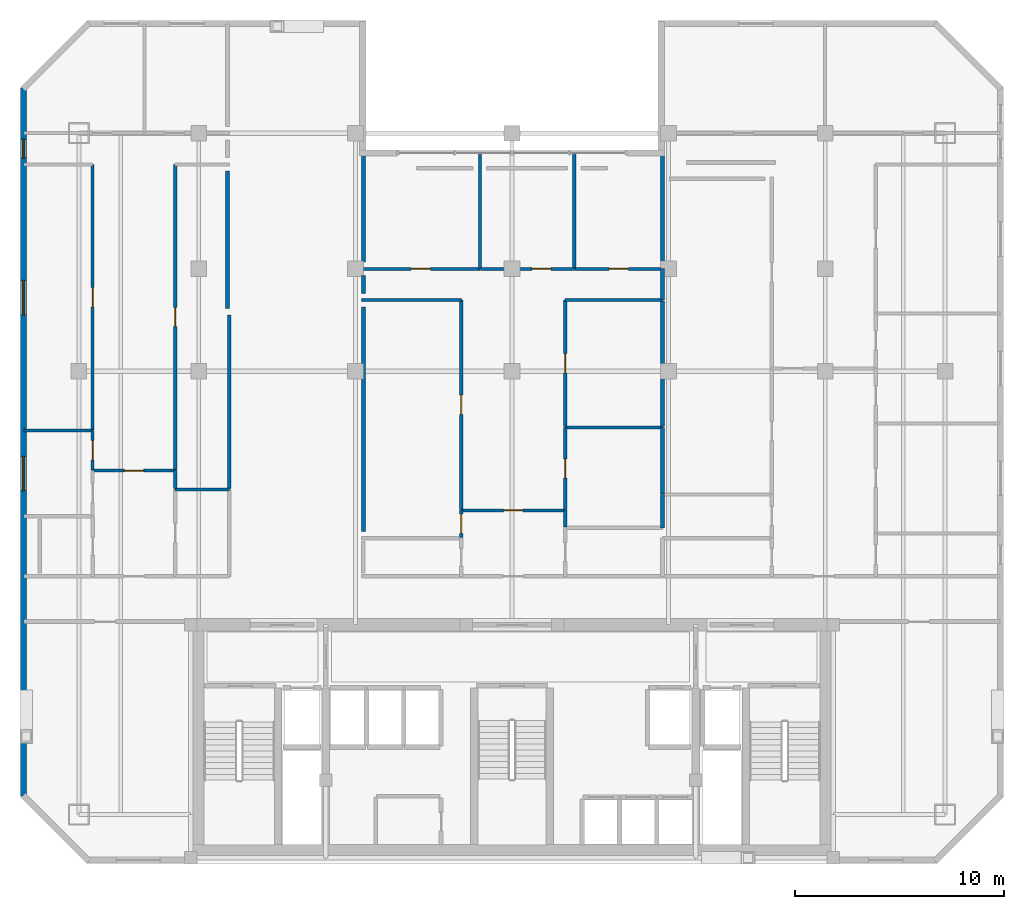
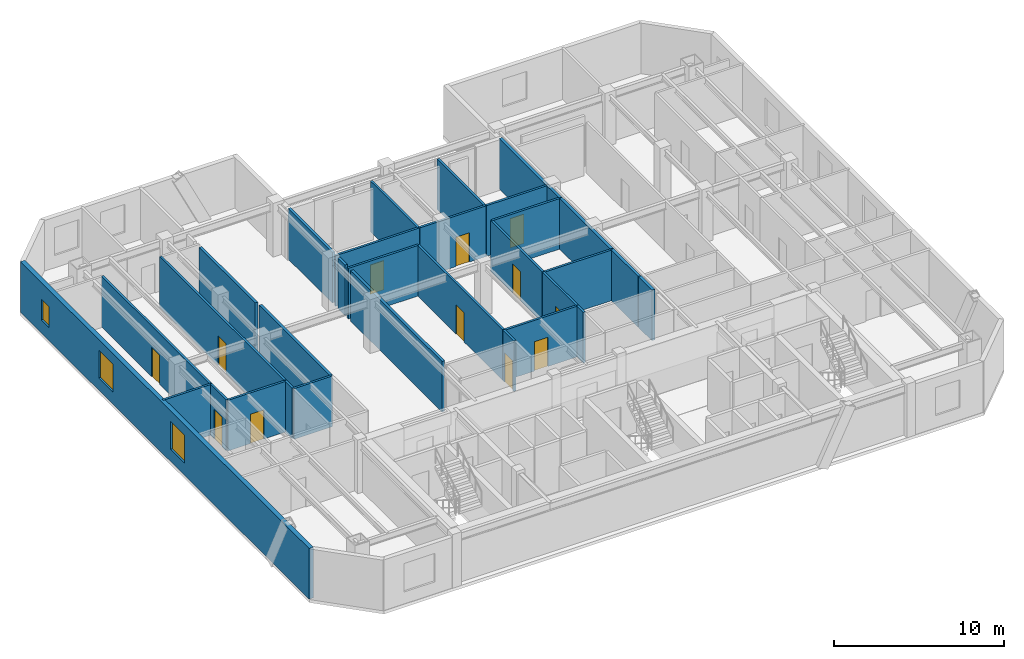
# One storey, part 6 of 10: 32 walls, 12 doors, 3 windows, 15 openings.
"""IFC4 building model written with IfcOpenShell, lengths in metres."""

from ifc_helpers import new_model, si_unit, direction, frame, frame_2d, origin, place, context, subcontext, project, spatial, rectangle, extrude, material, layer, layer_set, type_object, element, fill, save


model = new_model("IFC4")

# Units and contexts
model_context = context("Model", 3, precision=1e-05, world=origin(), true_north=direction((0.0, 1.0)))
body_context = subcontext(model_context, "Body", "Model", "MODEL_VIEW")
ifc_project = project(units=[si_unit("LENGTHUNIT", "METRE"), si_unit("AREAUNIT", "SQUARE_METRE"), si_unit("VOLUMEUNIT", "CUBIC_METRE"), si_unit("PLANEANGLEUNIT", "RADIAN"), si_unit("MASSUNIT", "GRAM", prefix="KILO")], contexts=[model_context])

# Site, building, storey
site_placement = place(None, origin())
site = spatial("IfcSite", under=ifc_project, at=site_placement, CompositionType="ELEMENT")
building_placement = place(site_placement, origin())
building = spatial("IfcBuilding", under=site, at=building_placement, Name="Ventersveld Concourse Tower", CompositionType="ELEMENT")
storey_placement = place(building_placement, frame((0.0, 0.0, 208.0)))
storey = spatial("IfcBuildingStorey", under=building, at=storey_placement, Name="L51", CompositionType="ELEMENT", Elevation=208.0)

# Walls
ifc_material_1 = material(Name="Fire-rated autoclaved aerated masonry blockwork", Category="masonry")
ifc_layer_1 = layer(ifc_material_1, 0.179931640625)
ifc_layer_set_1 = layer_set([ifc_layer_1], Name="Fire-rated autoclaved aerated masonry blockwork")
wall_type_1 = type_object("IfcWallType", Name="WL-CORR-180", PredefinedType="PARTITIONING", material=ifc_layer_set_1)
wall_1_placement = place(storey_placement, frame((15.2099609375, 17.96630859375, 0.0), z_axis=(0.0, 0.0, 1.0), x_axis=(0.0, 1.0, 0.0)))
element("IfcWall", 1, at=wall_1_placement, inside=storey, type_object=wall_type_1, Name="L51 Interior Partition SP-L51-COR-SP-L51-51NW-SEMR1", PredefinedType="PARTITIONING", context=body_context, shape_type="SweptSolid", body=[
    extrude(rectangle(XDim=8.32861328125, YDim=0.179931640625, at=frame_2d((4.164306640625, 0.0))), origin(), (0.0, 0.0, 1.0), 3.6298828125),
])
wall_2_placement = place(storey_placement, frame((15.1201171875, 33.175048828125, 0.0), z_axis=(0.0, 0.0, 1.0), x_axis=(0.0, -1.0, 0.0)))
element("IfcWall", 2, at=wall_2_placement, inside=storey, type_object=wall_type_1, Name="L51 Room Enclosure Wall SP-L51-51NW-SEMR1", PredefinedType="PARTITIONING", context=body_context, shape_type="SweptSolid", body=[
    extrude(rectangle(XDim=6.565185546875, YDim=0.179931640625, at=frame_2d((3.28271484375, 0.0))), origin(), (0.0, 0.0, 1.0), 3.6298828125),
])
wall_3_placement = place(storey_placement, frame((21.6298828125, 27.324951171875, 0.0), z_axis=(0.0, 0.0, 1.0), x_axis=(0.0, 1.0, 0.0)))
element("IfcWall", 3, at=wall_3_placement, inside=storey, type_object=wall_type_1, Name="L51 Room Enclosure Wall SP-L51-51CM-LIV", PredefinedType="PARTITIONING", context=body_context, shape_type="SweptSolid", body=[
    extrude(rectangle(XDim=0.85009765625, YDim=0.179931640625, at=frame_2d((0.425048828125, 0.0))), origin(), (0.0, 0.0, 1.0), 3.6298828125),
])
wall_4_placement = place(storey_placement, frame((21.6298828125, 15.925048828125, 0.0), z_axis=(0.0, 0.0, 1.0), x_axis=(0.0, 1.0, 0.0)))
element("IfcWall", 4, at=wall_4_placement, inside=storey, type_object=wall_type_1, Name="L51 Room Enclosure Wall SP-L51-51CM-SEML0", PredefinedType="PARTITIONING", context=body_context, shape_type="SweptSolid", body=[
    extrude(rectangle(XDim=10.75, YDim=0.179931640625, at=frame_2d((5.375, 0.0))), origin(), (0.0, 0.0, 1.0), 3.6298828125),
])
wall_5_placement = place(storey_placement, frame((21.6298828125, 28.824951171875, 0.0), z_axis=(0.0, 0.0, 1.0), x_axis=(0.0, 1.0, 0.0)))
element("IfcWall", 5, at=wall_5_placement, inside=storey, type_object=wall_type_1, Name="L51 Room Enclosure Wall SP-L51-51CM-BR1", PredefinedType="PARTITIONING", context=body_context, shape_type="SweptSolid", body=[
    extrude(rectangle(XDim=5.20263671875, YDim=0.179931640625, at=frame_2d((2.601318359375, 0.0))), origin(), (0.0, 0.0, 1.0), 3.6298828125),
])
ifc_layer_2 = layer(ifc_material_1, 0.199951171875)
ifc_layer_set_2 = layer_set([ifc_layer_2], Name="Fire-rated autoclaved aerated masonry blockwork")
wall_type_2 = type_object("IfcWallType", Name="WL-DEMISE-200", PredefinedType="PARTITIONING", material=ifc_layer_set_2)
wall_6_placement = place(storey_placement, frame((35.9599609375, 16.08740234375, 0.0), z_axis=(0.0, 0.0, 1.0), x_axis=(0.0, 1.0, 0.0)))
element("IfcWall", 6, at=wall_6_placement, inside=storey, type_object=wall_type_2, Name="L51 Interior Partition SP-L51-51CE-PANL0-SP-L51-51CM-DENR", PredefinedType="PARTITIONING", context=body_context, shape_type="SweptSolid", body=[
    extrude(rectangle(XDim=1.597412109375, YDim=0.199951171875, at=frame_2d((0.798828125, 0.0))), origin(), (0.0, 0.0, 1.0), 3.6298828125),
])
wall_7_placement = place(storey_placement, frame((35.9599609375, 26.9951171875, 0.0), z_axis=(0.0, 0.0, 1.0), x_axis=(0.0, 1.0, 0.0)))
element("IfcWall", 7, at=wall_7_placement, inside=storey, type_object=wall_type_2, Name="L51 Interior Partition SP-L51-51CE-DENL-SP-L51-51CM-LIV", PredefinedType="PARTITIONING", context=body_context, shape_type="SweptSolid", body=[
    extrude(rectangle(XDim=1.509765625, YDim=0.199951171875, at=frame_2d((0.7548828125, 0.0))), origin(), (0.0, 0.0, 1.0), 3.6298828125),
])
wall_8_placement = place(storey_placement, frame((35.9599609375, 17.71484375, 0.0), z_axis=(0.0, 0.0, 1.0), x_axis=(0.0, 1.0, 0.0)))
element("IfcWall", 8, at=wall_8_placement, inside=storey, type_object=wall_type_2, Name="L51 Interior Partition SP-L51-51CE-DENL-SP-L51-51CM-DENR", PredefinedType="PARTITIONING", context=body_context, shape_type="SweptSolid", body=[
    extrude(rectangle(XDim=3.195068359375, YDim=0.199951171875, at=frame_2d((1.59765625, 0.0))), origin(), (0.0, 0.0, 1.0), 3.6298828125),
])
wall_9_placement = place(storey_placement, frame((35.9599609375, 20.93994140625, 0.0), z_axis=(0.0, 0.0, 1.0), x_axis=(0.0, 1.0, 0.0)))
element("IfcWall", 9, at=wall_9_placement, inside=storey, type_object=wall_type_2, Name="L51 Interior Partition SP-L51-51CE-DENL-SP-L51-51CM-DENS", PredefinedType="PARTITIONING", context=body_context, shape_type="SweptSolid", body=[
    extrude(rectangle(XDim=6.025146484375, YDim=0.199951171875, at=frame_2d((3.0126953125, 0.0))), origin(), (0.0, 0.0, 1.0), 3.6298828125),
])
wall_10_placement = place(storey_placement, frame((35.9599609375, 28.534912109375, 0.0), z_axis=(0.0, 0.0, 1.0), x_axis=(0.0, 1.0, 0.0)))
element("IfcWall", 10, at=wall_10_placement, inside=storey, type_object=wall_type_2, Name="L51 Interior Partition SP-L51-51CE-DENL-SP-L51-51CM-BR3", PredefinedType="PARTITIONING", context=body_context, shape_type="SweptSolid", body=[
    extrude(rectangle(XDim=5.49267578125, YDim=0.199951171875, at=frame_2d((2.746337890625, 0.0))), origin(), (0.0, 0.0, 1.0), 3.6298828125),
])

# Wall, opening, door
ifc_material_2 = material(Name="Autoclaved aerated masonry blockwork", Category="masonry")
ifc_layer_3 = layer(ifc_material_2, 0.14990234375)
ifc_layer_set_3 = layer_set([ifc_layer_3], Name="Autoclaved aerated masonry blockwork")
wall_type_3 = type_object("IfcWallType", Name="WL-INT-150", PredefinedType="PARTITIONING", material=ifc_layer_set_3)
wall_11_placement = place(storey_placement, frame((8.65380859375, 18.83349609375, 0.0), z_axis=(0.0, 0.0, 1.0), x_axis=(1.0, 0.0, 0.0)))
wall_11 = element("IfcWall", 11, at=wall_11_placement, inside=storey, type_object=wall_type_3, Name="L51 Interior Partition SP-L51-51NW-FOY-SP-L51-51NW-LIV", PredefinedType="PARTITIONING", context=body_context, shape_type="SweptSolid", body=[
    extrude(rectangle(XDim=3.969970703125, YDim=0.14990234375, at=frame_2d((1.98486328125, 0.0))), origin(), (0.0, 0.0, 1.0), 3.6298828125),
])
opening_1_placement = place(wall_11_placement, frame((1.52490234375, 0.0, 0.0)))
opening_1 = element("IfcOpeningElement", 12, at=opening_1_placement, cuts=wall_11, Name="Opening ID1", PredefinedType="OPENING", context=body_context, shape_type="SweptSolid", body=[
    extrude(rectangle(XDim=0.919921875, YDim=2.10009765625, at=frame_2d((0.4599609375, 1.050048828125))), frame((0.0, 0.0849609375, 0.0), z_axis=(0.0, -1.0, 0.0), x_axis=(1.0, 0.0, 0.0)), (0.0, 0.0, 1.0), 0.169921875),
])
ifc_material_3 = material(Name="Solid-core hardwood veneer timber", Category="wood")
door_type = type_object("IfcDoorType", Name="DR-ROOM-092", OperationType="NOTDEFINED", PredefinedType="DOOR", material=ifc_material_3)
door_1_placement = place(opening_1_placement, origin())
door_1 = element("IfcDoor", 13, at=door_1_placement, inside=storey, type_object=door_type, Name="L51 Interior Door SP-L51-51NW-FOY to SP-L51-51NW-LIV (D-L51-2481)", OperationType="SINGLE_SWING_LEFT", OverallHeight=2.10009765625, OverallWidth=0.919921875, PredefinedType="DOOR", context=body_context, shape_type="SweptSolid", body=[
    extrude(rectangle(XDim=0.919921875, YDim=2.10009765625, at=frame_2d((0.4599609375, 1.050048828125))), frame((0.0, 0.02490234375, 0.0), z_axis=(0.0, -1.0, 0.0), x_axis=(1.0, 0.0, 0.0)), (0.0, 0.0, 1.0), 0.050048828125),
])
fill(opening_1, door_1)

# Wall
wall_12_placement = place(storey_placement, frame((12.61865234375, 17.96630859375, 0.0), z_axis=(0.0, 0.0, 1.0), x_axis=(0.0, 1.0, 0.0)))
element("IfcWall", 14, at=wall_12_placement, inside=storey, type_object=wall_type_3, Name="L51 Interior Partition SP-L51-51NW-FOY-SP-L51-51NW-SEMR1", PredefinedType="PARTITIONING", context=body_context, shape_type="SweptSolid", body=[
    extrude(rectangle(XDim=0.8720703125, YDim=0.14990234375, at=frame_2d((0.43603515625, 0.0))), origin(), (0.0, 0.0, 1.0), 3.6298828125),
])

# Wall, opening, door
wall_13_placement = place(storey_placement, frame((8.65869140625, 18.868408203125, 0.0), z_axis=(0.0, 0.0, 1.0), x_axis=(0.0, 1.0, 0.0)))
wall_13 = element("IfcWall", 15, at=wall_13_placement, inside=storey, type_object=wall_type_3, Name="L51 Interior Partition SP-L51-51NW-LIV-SP-L51-51NW-PANL0", PredefinedType="PARTITIONING", context=body_context, shape_type="SweptSolid", body=[
    extrude(rectangle(XDim=1.88232421875, YDim=0.14990234375, at=frame_2d((0.941162109375, 0.0))), origin(), (0.0, 0.0, 1.0), 3.6298828125),
])
opening_2_placement = place(wall_13_placement, frame((0.481201171875, 0.0, 0.0)))
opening_2 = element("IfcOpeningElement", 16, at=opening_2_placement, cuts=wall_13, Name="Opening ID1", PredefinedType="OPENING", context=body_context, shape_type="SweptSolid", body=[
    extrude(rectangle(XDim=0.919921875, YDim=2.10009765625, at=frame_2d((0.4599609375, 1.050048828125))), frame((0.0, 0.0849609375, 0.0), z_axis=(0.0, -1.0, 0.0), x_axis=(1.0, 0.0, 0.0)), (0.0, 0.0, 1.0), 0.169921875),
])
door_2_placement = place(opening_2_placement, origin())
door_2 = element("IfcDoor", 17, at=door_2_placement, inside=storey, type_object=door_type, Name="L51 Interior Door SP-L51-51NW-LIV to SP-L51-51NW-PANL0 (D-L51-2485)", OperationType="SINGLE_SWING_LEFT", OverallHeight=2.10009765625, OverallWidth=0.919921875, PredefinedType="DOOR", context=body_context, shape_type="SweptSolid", body=[
    extrude(rectangle(XDim=0.919921875, YDim=2.10009765625, at=frame_2d((0.4599609375, 1.050048828125))), frame((0.0, 0.02490234375, 0.0), z_axis=(0.0, -1.0, 0.0), x_axis=(1.0, 0.0, 0.0)), (0.0, 0.0, 1.0), 0.050048828125),
])
fill(opening_2, door_2)

wall_14_placement = place(storey_placement, frame((8.65869140625, 20.78076171875, 0.0), z_axis=(0.0, 0.0, 1.0), x_axis=(0.0, 1.0, 0.0)))
wall_14 = element("IfcWall", 18, at=wall_14_placement, inside=storey, type_object=wall_type_3, Name="L51 Interior Partition SP-L51-51NW-LIV-SP-L51-51NW-DENL", PredefinedType="PARTITIONING", context=body_context, shape_type="SweptSolid", body=[
    extrude(rectangle(XDim=12.72412109375, YDim=0.14990234375, at=frame_2d((6.362060546875, 0.0))), origin(), (0.0, 0.0, 1.0), 3.6298828125),
])
opening_3_placement = place(wall_14_placement, frame((5.902099609375, 0.0, 0.0)))
opening_3 = element("IfcOpeningElement", 19, at=opening_3_placement, cuts=wall_14, Name="Opening ID1", PredefinedType="OPENING", context=body_context, shape_type="SweptSolid", body=[
    extrude(rectangle(XDim=0.919921875, YDim=2.10009765625, at=frame_2d((0.4599609375, 1.050048828125))), frame((0.0, 0.0849609375, 0.0), z_axis=(0.0, -1.0, 0.0), x_axis=(1.0, 0.0, 0.0)), (0.0, 0.0, 1.0), 0.169921875),
])
door_3_placement = place(opening_3_placement, origin())
door_3 = element("IfcDoor", 20, at=door_3_placement, inside=storey, type_object=door_type, Name="L51 Interior Door SP-L51-51NW-LIV to SP-L51-51NW-DENL (D-L51-2486)", OperationType="SINGLE_SWING_RIGHT", OverallHeight=2.10009765625, OverallWidth=0.919921875, PredefinedType="DOOR", context=body_context, shape_type="SweptSolid", body=[
    extrude(rectangle(XDim=0.919921875, YDim=2.10009765625, at=frame_2d((0.4599609375, 1.050048828125))), frame((0.0, 0.02490234375, 0.0), z_axis=(0.0, -1.0, 0.0), x_axis=(1.0, 0.0, 0.0)), (0.0, 0.0, 1.0), 0.050048828125),
])
fill(opening_3, door_3)

wall_15_placement = place(storey_placement, frame((12.61865234375, 18.868408203125, 0.0), z_axis=(0.0, 0.0, 1.0), x_axis=(0.0, 1.0, 0.0)))
wall_15 = element("IfcWall", 21, at=wall_15_placement, inside=storey, type_object=wall_type_3, Name="L51 Interior Partition SP-L51-51NW-LIV-SP-L51-51NW-SEMR1", PredefinedType="PARTITIONING", context=body_context, shape_type="SweptSolid", body=[
    extrude(rectangle(XDim=14.636474609375, YDim=0.14990234375, at=frame_2d((7.318359375, 0.0))), origin(), (0.0, 0.0, 1.0), 3.6298828125),
])
opening_4_placement = place(wall_15_placement, frame((6.8583984375, 0.0, 0.0)))
opening_4 = element("IfcOpeningElement", 22, at=opening_4_placement, cuts=wall_15, Name="Opening ID1", PredefinedType="OPENING", context=body_context, shape_type="SweptSolid", body=[
    extrude(rectangle(XDim=0.919921875, YDim=2.10009765625, at=frame_2d((0.4599609375, 1.050048828125))), frame((0.0, 0.0849609375, 0.0), z_axis=(0.0, -1.0, 0.0), x_axis=(1.0, 0.0, 0.0)), (0.0, 0.0, 1.0), 0.169921875),
])
door_4_placement = place(opening_4_placement, origin())
door_4 = element("IfcDoor", 23, at=door_4_placement, inside=storey, type_object=door_type, Name="L51 Interior Door SP-L51-51NW-LIV to SP-L51-51NW-SEMR1 (D-L51-2487)", OperationType="SINGLE_SWING_LEFT", OverallHeight=2.10009765625, OverallWidth=0.919921875, PredefinedType="DOOR", context=body_context, shape_type="SweptSolid", body=[
    extrude(rectangle(XDim=0.919921875, YDim=2.10009765625, at=frame_2d((0.4599609375, 1.050048828125))), frame((0.0, 0.02490234375, 0.0), z_axis=(0.0, -1.0, 0.0), x_axis=(1.0, 0.0, 0.0)), (0.0, 0.0, 1.0), 0.050048828125),
])
fill(opening_4, door_4)

# Walls
wall_16_placement = place(storey_placement, frame((5.37255859375, 20.74560546875, 0.0), z_axis=(0.0, 0.0, 1.0), x_axis=(1.0, 0.0, 0.0)))
element("IfcWall", 24, at=wall_16_placement, inside=storey, type_object=wall_type_3, Name="L51 Interior Partition SP-L51-51NW-PANL0-SP-L51-51NW-DENL", PredefinedType="PARTITIONING", context=body_context, shape_type="SweptSolid", body=[
    extrude(rectangle(XDim=3.291259765625, YDim=0.14990234375, at=frame_2d((1.6455078125, 0.0))), origin(), (0.0, 0.0, 1.0), 3.6298828125),
])
wall_17_placement = place(storey_placement, frame((12.61376953125, 17.931396484375, 0.0), z_axis=(0.0, 0.0, 1.0), x_axis=(1.0, 0.0, 0.0)))
element("IfcWall", 25, at=wall_17_placement, inside=storey, type_object=wall_type_3, Name="L51 Interior Partition SP-L51-51NW-KIT-SP-L51-51NW-SEMR1", PredefinedType="PARTITIONING", context=body_context, shape_type="SweptSolid", body=[
    extrude(rectangle(XDim=2.601318359375, YDim=0.14990234375, at=frame_2d((1.30078125, 0.0))), origin(), (0.0, 0.0, 1.0), 3.6298828125),
])

# Wall, opening, door
wall_18_placement = place(storey_placement, frame((26.314208984375, 16.92919921875, 0.0), z_axis=(0.0, 0.0, 1.0), x_axis=(1.0, 0.0, 0.0)))
wall_18 = element("IfcWall", 26, at=wall_18_placement, inside=storey, type_object=wall_type_3, Name="L51 Interior Partition SP-L51-51CM-FOY-SP-L51-51CM-LIV", PredefinedType="PARTITIONING", context=body_context, shape_type="SweptSolid", body=[
    extrude(rectangle(XDim=4.989990234375, YDim=0.14990234375, at=frame_2d((2.4951171875, 0.0))), origin(), (0.0, 0.0, 1.0), 3.6298828125),
])
opening_5_placement = place(wall_18_placement, frame((2.034912109375, 0.0, 0.0)))
opening_5 = element("IfcOpeningElement", 27, at=opening_5_placement, cuts=wall_18, Name="Opening ID1", PredefinedType="OPENING", context=body_context, shape_type="SweptSolid", body=[
    extrude(rectangle(XDim=0.919921875, YDim=2.10009765625, at=frame_2d((0.4599609375, 1.050048828125))), frame((0.0, 0.0849609375, 0.0), z_axis=(0.0, -1.0, 0.0), x_axis=(1.0, 0.0, 0.0)), (0.0, 0.0, 1.0), 0.169921875),
])
door_5_placement = place(opening_5_placement, origin())
door_5 = element("IfcDoor", 28, at=door_5_placement, inside=storey, type_object=door_type, Name="L51 Interior Door SP-L51-51CM-FOY to SP-L51-51CM-LIV (D-L51-2502)", OperationType="SINGLE_SWING_RIGHT", OverallHeight=2.10009765625, OverallWidth=0.919921875, PredefinedType="DOOR", context=body_context, shape_type="SweptSolid", body=[
    extrude(rectangle(XDim=0.919921875, YDim=2.10009765625, at=frame_2d((0.4599609375, 1.050048828125))), frame((0.0, 0.02490234375, 0.0), z_axis=(0.0, -1.0, 0.0), x_axis=(1.0, 0.0, 0.0)), (0.0, 0.0, 1.0), 0.050048828125),
])
fill(opening_5, door_5)

wall_19_placement = place(storey_placement, frame((26.319091796875, 15.635009765625, 0.0), z_axis=(0.0, 0.0, 1.0), x_axis=(0.0, 1.0, 0.0)))
wall_19 = element("IfcWall", 29, at=wall_19_placement, inside=storey, type_object=wall_type_3, Name="L51 Interior Partition SP-L51-51CM-FOY-SP-L51-51CM-SEML0", PredefinedType="PARTITIONING", context=body_context, shape_type="SweptSolid", body=[
    extrude(rectangle(XDim=1.29931640625, YDim=0.14990234375, at=frame_2d((0.649658203125, 0.0))), origin(), (0.0, 0.0, 1.0), 3.6298828125),
])
opening_6_placement = place(wall_19_placement, frame((0.189697265625, 0.0, 0.0)))
opening_6 = element("IfcOpeningElement", 30, at=opening_6_placement, cuts=wall_19, Name="Opening ID1", PredefinedType="OPENING", context=body_context, shape_type="SweptSolid", body=[
    extrude(rectangle(XDim=0.919921875, YDim=2.10009765625, at=frame_2d((0.4599609375, 1.050048828125))), frame((0.0, 0.0849609375, 0.0), z_axis=(0.0, -1.0, 0.0), x_axis=(1.0, 0.0, 0.0)), (0.0, 0.0, 1.0), 0.169921875),
])
door_6_placement = place(opening_6_placement, origin())
door_6 = element("IfcDoor", 31, at=door_6_placement, inside=storey, type_object=door_type, Name="L51 Interior Door SP-L51-51CM-FOY to SP-L51-51CM-SEML0 (D-L51-2504)", OperationType="SINGLE_SWING_RIGHT", OverallHeight=2.10009765625, OverallWidth=0.919921875, PredefinedType="DOOR", context=body_context, shape_type="SweptSolid", body=[
    extrude(rectangle(XDim=0.919921875, YDim=2.10009765625, at=frame_2d((0.4599609375, 1.050048828125))), frame((0.0, 0.02490234375, 0.0), z_axis=(0.0, -1.0, 0.0), x_axis=(1.0, 0.0, 0.0)), (0.0, 0.0, 1.0), 0.050048828125),
])
fill(opening_6, door_6)

# Wall
wall_20_placement = place(storey_placement, frame((31.29931640625, 16.12744140625, 0.0), z_axis=(0.0, 0.0, 1.0), x_axis=(0.0, 1.0, 0.0)))
element("IfcWall", 32, at=wall_20_placement, inside=storey, type_object=wall_type_3, Name="L51 Interior Partition SP-L51-51CM-FOY-SP-L51-51CM-DENR", PredefinedType="PARTITIONING", context=body_context, shape_type="SweptSolid", body=[
    extrude(rectangle(XDim=0.806884765625, YDim=0.14990234375, at=frame_2d((0.4033203125, 0.0))), origin(), (0.0, 0.0, 1.0), 3.6298828125),
])

# Wall, opening, door
wall_21_placement = place(storey_placement, frame((26.319091796875, 16.96435546875, 0.0), z_axis=(0.0, 0.0, 1.0), x_axis=(0.0, 1.0, 0.0)))
wall_21 = element("IfcWall", 33, at=wall_21_placement, inside=storey, type_object=wall_type_3, Name="L51 Interior Partition SP-L51-51CM-LIV-SP-L51-51CM-SEML0", PredefinedType="PARTITIONING", context=body_context, shape_type="SweptSolid", body=[
    extrude(rectangle(XDim=10.04052734375, YDim=0.14990234375, at=frame_2d((5.020263671875, 0.0))), origin(), (0.0, 0.0, 1.0), 3.6298828125),
])
opening_7_placement = place(wall_21_placement, frame((4.560302734375, 0.0, 0.0)))
opening_7 = element("IfcOpeningElement", 34, at=opening_7_placement, cuts=wall_21, Name="Opening ID1", PredefinedType="OPENING", context=body_context, shape_type="SweptSolid", body=[
    extrude(rectangle(XDim=0.919921875, YDim=2.10009765625, at=frame_2d((0.4599609375, 1.050048828125))), frame((0.0, 0.0849609375, 0.0), z_axis=(0.0, -1.0, 0.0), x_axis=(1.0, 0.0, 0.0)), (0.0, 0.0, 1.0), 0.169921875),
])
door_7_placement = place(opening_7_placement, origin())
door_7 = element("IfcDoor", 35, at=door_7_placement, inside=storey, type_object=door_type, Name="L51 Interior Door SP-L51-51CM-LIV to SP-L51-51CM-SEML0 (D-L51-2506)", OperationType="SINGLE_SWING_RIGHT", OverallHeight=2.10009765625, OverallWidth=0.919921875, PredefinedType="DOOR", context=body_context, shape_type="SweptSolid", body=[
    extrude(rectangle(XDim=0.919921875, YDim=2.10009765625, at=frame_2d((0.4599609375, 1.050048828125))), frame((0.0, 0.02490234375, 0.0), z_axis=(0.0, -1.0, 0.0), x_axis=(1.0, 0.0, 0.0)), (0.0, 0.0, 1.0), 0.050048828125),
])
fill(opening_7, door_7)

# Wall
wall_22_placement = place(storey_placement, frame((21.534912109375, 27.0, 0.0), z_axis=(0.0, 0.0, 1.0), x_axis=(1.0, 0.0, 0.0)))
element("IfcWall", 36, at=wall_22_placement, inside=storey, type_object=wall_type_3, Name="L51 Interior Partition SP-L51-51CM-LIV-SP-L51-51CM-SEML0", PredefinedType="PARTITIONING", context=body_context, shape_type="SweptSolid", body=[
    extrude(rectangle(XDim=4.789306640625, YDim=0.14990234375, at=frame_2d((2.39453125, 0.0))), origin(), (0.0, 0.0, 1.0), 3.6298828125),
])

# Wall, opening, door
wall_23_placement = place(storey_placement, frame((31.29931640625, 16.96435546875, 0.0), z_axis=(0.0, 0.0, 1.0), x_axis=(0.0, 1.0, 0.0)))
wall_23 = element("IfcWall", 37, at=wall_23_placement, inside=storey, type_object=wall_type_3, Name="L51 Interior Partition SP-L51-51CM-LIV-SP-L51-51CM-DENR", PredefinedType="PARTITIONING", context=body_context, shape_type="SweptSolid", body=[
    extrude(rectangle(XDim=3.945556640625, YDim=0.14990234375, at=frame_2d((1.97265625, 0.0))), origin(), (0.0, 0.0, 1.0), 3.6298828125),
])
opening_8_placement = place(wall_23_placement, frame((1.5126953125, 0.0, 0.0)))
opening_8 = element("IfcOpeningElement", 38, at=opening_8_placement, cuts=wall_23, Name="Opening ID1", PredefinedType="OPENING", context=body_context, shape_type="SweptSolid", body=[
    extrude(rectangle(XDim=0.919921875, YDim=2.10009765625, at=frame_2d((0.4599609375, 1.050048828125))), frame((0.0, 0.0849609375, 0.0), z_axis=(0.0, -1.0, 0.0), x_axis=(1.0, 0.0, 0.0)), (0.0, 0.0, 1.0), 0.169921875),
])
door_8_placement = place(opening_8_placement, origin())
door_8 = element("IfcDoor", 39, at=door_8_placement, inside=storey, type_object=door_type, Name="L51 Interior Door SP-L51-51CM-LIV to SP-L51-51CM-DENR (D-L51-2507)", OperationType="SINGLE_SWING_LEFT", OverallHeight=2.10009765625, OverallWidth=0.919921875, PredefinedType="DOOR", context=body_context, shape_type="SweptSolid", body=[
    extrude(rectangle(XDim=0.919921875, YDim=2.10009765625, at=frame_2d((0.4599609375, 1.050048828125))), frame((0.0, 0.02490234375, 0.0), z_axis=(0.0, -1.0, 0.0), x_axis=(1.0, 0.0, 0.0)), (0.0, 0.0, 1.0), 0.050048828125),
])
fill(opening_8, door_8)

wall_24_placement = place(storey_placement, frame((31.29931640625, 20.93994140625, 0.0), z_axis=(0.0, 0.0, 1.0), x_axis=(0.0, 1.0, 0.0)))
wall_24 = element("IfcWall", 40, at=wall_24_placement, inside=storey, type_object=wall_type_3, Name="L51 Interior Partition SP-L51-51CM-LIV-SP-L51-51CM-DENS", PredefinedType="PARTITIONING", context=body_context, shape_type="SweptSolid", body=[
    extrude(rectangle(XDim=6.06494140625, YDim=0.14990234375, at=frame_2d((3.032470703125, 0.0))), origin(), (0.0, 0.0, 1.0), 3.6298828125),
])
opening_9_placement = place(wall_24_placement, frame((2.572509765625, 0.0, 0.0)))
opening_9 = element("IfcOpeningElement", 41, at=opening_9_placement, cuts=wall_24, Name="Opening ID1", PredefinedType="OPENING", context=body_context, shape_type="SweptSolid", body=[
    extrude(rectangle(XDim=0.919921875, YDim=2.10009765625, at=frame_2d((0.4599609375, 1.050048828125))), frame((0.0, 0.0849609375, 0.0), z_axis=(0.0, -1.0, 0.0), x_axis=(1.0, 0.0, 0.0)), (0.0, 0.0, 1.0), 0.169921875),
])
door_9_placement = place(opening_9_placement, origin())
door_9 = element("IfcDoor", 42, at=door_9_placement, inside=storey, type_object=door_type, Name="L51 Interior Door SP-L51-51CM-LIV to SP-L51-51CM-DENS (D-L51-2508)", OperationType="SINGLE_SWING_RIGHT", OverallHeight=2.10009765625, OverallWidth=0.919921875, PredefinedType="DOOR", context=body_context, shape_type="SweptSolid", body=[
    extrude(rectangle(XDim=0.919921875, YDim=2.10009765625, at=frame_2d((0.4599609375, 1.050048828125))), frame((0.0, 0.02490234375, 0.0), z_axis=(0.0, -1.0, 0.0), x_axis=(1.0, 0.0, 0.0)), (0.0, 0.0, 1.0), 0.050048828125),
])
fill(opening_9, door_9)

# Wall
wall_25_placement = place(storey_placement, frame((31.294189453125, 27.0, 0.0), z_axis=(0.0, 0.0, 1.0), x_axis=(1.0, 0.0, 0.0)))
element("IfcWall", 43, at=wall_25_placement, inside=storey, type_object=wall_type_3, Name="L51 Interior Partition SP-L51-51CM-LIV-SP-L51-51CM-DENS", PredefinedType="PARTITIONING", context=body_context, shape_type="SweptSolid", body=[
    extrude(rectangle(XDim=4.6708984375, YDim=0.14990234375, at=frame_2d((2.33544921875, 0.0))), origin(), (0.0, 0.0, 1.0), 3.6298828125),
])

# Wall, opening, door
wall_26_placement = place(storey_placement, frame((21.534912109375, 28.5, 0.0), z_axis=(0.0, 0.0, 1.0), x_axis=(1.0, 0.0, 0.0)))
wall_26 = element("IfcWall", 44, at=wall_26_placement, inside=storey, type_object=wall_type_3, Name="L51 Interior Partition SP-L51-51CM-LIV-SP-L51-51CM-BR1", PredefinedType="PARTITIONING", context=body_context, shape_type="SweptSolid", body=[
    extrude(rectangle(XDim=5.684326171875, YDim=0.14990234375, at=frame_2d((2.84228515625, 0.0))), origin(), (0.0, 0.0, 1.0), 3.6298828125),
])
opening_10_placement = place(wall_26_placement, frame((2.382080078125, 0.0, 0.0)))
opening_10 = element("IfcOpeningElement", 45, at=opening_10_placement, cuts=wall_26, Name="Opening ID1", PredefinedType="OPENING", context=body_context, shape_type="SweptSolid", body=[
    extrude(rectangle(XDim=0.919921875, YDim=2.10009765625, at=frame_2d((0.4599609375, 1.050048828125))), frame((0.0, 0.0849609375, 0.0), z_axis=(0.0, -1.0, 0.0), x_axis=(1.0, 0.0, 0.0)), (0.0, 0.0, 1.0), 0.169921875),
])
door_10_placement = place(opening_10_placement, origin())
door_10 = element("IfcDoor", 46, at=door_10_placement, inside=storey, type_object=door_type, Name="L51 Interior Door SP-L51-51CM-LIV to SP-L51-51CM-BR1 (D-L51-2509)", OperationType="SINGLE_SWING_LEFT", OverallHeight=2.10009765625, OverallWidth=0.919921875, PredefinedType="DOOR", context=body_context, shape_type="SweptSolid", body=[
    extrude(rectangle(XDim=0.919921875, YDim=2.10009765625, at=frame_2d((0.4599609375, 1.050048828125))), frame((0.0, 0.02490234375, 0.0), z_axis=(0.0, -1.0, 0.0), x_axis=(1.0, 0.0, 0.0)), (0.0, 0.0, 1.0), 0.050048828125),
])
fill(opening_10, door_10)

wall_27_placement = place(storey_placement, frame((27.249267578125, 28.5, 0.0), z_axis=(0.0, 0.0, 1.0), x_axis=(1.0, 0.0, 0.0)))
wall_27 = element("IfcWall", 47, at=wall_27_placement, inside=storey, type_object=wall_type_3, Name="L51 Interior Partition SP-L51-51CM-LIV-SP-L51-51CM-BR2", PredefinedType="PARTITIONING", context=body_context, shape_type="SweptSolid", body=[
    extrude(rectangle(XDim=4.487548828125, YDim=0.14990234375, at=frame_2d((2.24365234375, 0.0))), origin(), (0.0, 0.0, 1.0), 3.6298828125),
])
opening_11_placement = place(wall_27_placement, frame((2.456787109375, 0.0, 0.0)))
opening_11 = element("IfcOpeningElement", 48, at=opening_11_placement, cuts=wall_27, Name="Opening ID1", PredefinedType="OPENING", context=body_context, shape_type="SweptSolid", body=[
    extrude(rectangle(XDim=0.919921875, YDim=2.10009765625, at=frame_2d((0.4599609375, 1.050048828125))), frame((0.0, 0.0849609375, 0.0), z_axis=(0.0, -1.0, 0.0), x_axis=(1.0, 0.0, 0.0)), (0.0, 0.0, 1.0), 0.169921875),
])
door_11_placement = place(opening_11_placement, origin())
door_11 = element("IfcDoor", 49, at=door_11_placement, inside=storey, type_object=door_type, Name="L51 Interior Door SP-L51-51CM-LIV to SP-L51-51CM-BR2 (D-L51-2510)", OperationType="SINGLE_SWING_RIGHT", OverallHeight=2.10009765625, OverallWidth=0.919921875, PredefinedType="DOOR", context=body_context, shape_type="SweptSolid", body=[
    extrude(rectangle(XDim=0.919921875, YDim=2.10009765625, at=frame_2d((0.4599609375, 1.050048828125))), frame((0.0, 0.02490234375, 0.0), z_axis=(0.0, -1.0, 0.0), x_axis=(1.0, 0.0, 0.0)), (0.0, 0.0, 1.0), 0.050048828125),
])
fill(opening_11, door_11)

wall_28_placement = place(storey_placement, frame((31.7666015625, 28.5, 0.0), z_axis=(0.0, 0.0, 1.0), x_axis=(1.0, 0.0, 0.0)))
wall_28 = element("IfcWall", 50, at=wall_28_placement, inside=storey, type_object=wall_type_3, Name="L51 Interior Partition SP-L51-51CM-LIV-SP-L51-51CM-BR3", PredefinedType="PARTITIONING", context=body_context, shape_type="SweptSolid", body=[
    extrude(rectangle(XDim=4.198486328125, YDim=0.14990234375, at=frame_2d((2.09912109375, 0.0))), origin(), (0.0, 0.0, 1.0), 3.6298828125),
])
opening_12_placement = place(wall_28_placement, frame((1.63916015625, 0.0, 0.0)))
opening_12 = element("IfcOpeningElement", 51, at=opening_12_placement, cuts=wall_28, Name="Opening ID1", PredefinedType="OPENING", context=body_context, shape_type="SweptSolid", body=[
    extrude(rectangle(XDim=0.919921875, YDim=2.10009765625, at=frame_2d((0.4599609375, 1.050048828125))), frame((0.0, 0.0849609375, 0.0), z_axis=(0.0, -1.0, 0.0), x_axis=(1.0, 0.0, 0.0)), (0.0, 0.0, 1.0), 0.169921875),
])
door_12_placement = place(opening_12_placement, origin())
door_12 = element("IfcDoor", 52, at=door_12_placement, inside=storey, type_object=door_type, Name="L51 Interior Door SP-L51-51CM-LIV to SP-L51-51CM-BR3 (D-L51-2511)", OperationType="SINGLE_SWING_LEFT", OverallHeight=2.10009765625, OverallWidth=0.919921875, PredefinedType="DOOR", context=body_context, shape_type="SweptSolid", body=[
    extrude(rectangle(XDim=0.919921875, YDim=2.10009765625, at=frame_2d((0.4599609375, 1.050048828125))), frame((0.0, 0.02490234375, 0.0), z_axis=(0.0, -1.0, 0.0), x_axis=(1.0, 0.0, 0.0)), (0.0, 0.0, 1.0), 0.050048828125),
])
fill(opening_12, door_12)

# Walls
wall_29_placement = place(storey_placement, frame((31.294189453125, 20.90478515625, 0.0), z_axis=(0.0, 0.0, 1.0), x_axis=(1.0, 0.0, 0.0)))
element("IfcWall", 53, at=wall_29_placement, inside=storey, type_object=wall_type_3, Name="L51 Interior Partition SP-L51-51CM-DENR-SP-L51-51CM-DENS", PredefinedType="PARTITIONING", context=body_context, shape_type="SweptSolid", body=[
    extrude(rectangle(XDim=4.6708984375, YDim=0.14990234375, at=frame_2d((2.33544921875, 0.0))), origin(), (0.0, 0.0, 1.0), 3.6298828125),
])
for number, where, z_axis, x_axis, name in (
    (54, (27.214111328125, 28.4951171875, 0.0), (0.0, 0.0, 1.0), (0.0, 1.0, 0.0), "L51 Interior Partition SP-L51-51CM-BR1-SP-L51-51CM-BR2"),
    (55, (31.731689453125, 28.4951171875, 0.0), (0.0, 0.0, 1.0), (0.0, 1.0, 0.0), "L51 Interior Partition SP-L51-51CM-BR2-SP-L51-51CM-BR3"),
):
    element("IfcWall", number, at=place(storey_placement, frame(where, z_axis=z_axis, x_axis=x_axis)), inside=storey, type_object=wall_type_3, Name=name, PredefinedType="PARTITIONING", context=body_context, shape_type="SweptSolid", body=[
        extrude(rectangle(XDim=5.536865234375, YDim=0.14990234375, at=frame_2d((2.7685546875, 0.0))), origin(), (0.0, 0.0, 1.0), 3.6298828125),
    ])

# Wall, openings, windows
ifc_material_4 = material(Name="Precast concrete C45/55", Category="concrete")
ifc_layer_4 = layer(ifc_material_4, 0.300048828125)
ifc_layer_set_4 = layer_set([ifc_layer_4], Name="Precast concrete C45/55")
wall_type_4 = type_object("IfcWallType", Name="WL-PREC-300", PredefinedType="SOLIDWALL", material=ifc_layer_set_4)
wall_30_placement = place(storey_placement, frame((5.35009765625, 37.159912109375, 0.0), z_axis=(0.0, 0.0, 1.0), x_axis=(0.0, -1.0, 0.0)))
wall_30 = element("IfcWall", 56, at=wall_30_placement, inside=storey, type_object=wall_type_4, Name="L51 Highveld Precast Facade Wall E11", PredefinedType="SOLIDWALL", context=body_context, shape_type="SweptSolid", body=[
    extrude(rectangle(XDim=33.919921875, YDim=0.300048828125, at=frame_2d((16.9599609375, 0.0))), origin(), (0.0, 0.0, 1.0), 3.6298828125),
])
opening_13_placement = place(wall_30_placement, frame((2.4599609375, 0.0, 0.949951171875)))
opening_13 = element("IfcOpeningElement", 57, at=opening_13_placement, cuts=wall_30, Name="Opening W4", PredefinedType="OPENING", context=body_context, shape_type="SweptSolid", body=[
    extrude(rectangle(XDim=0.89990234375, YDim=1.5, at=frame_2d((0.449951171875, 0.75))), frame((0.0, 0.16015625, 0.0), z_axis=(0.0, -1.0, 0.0), x_axis=(1.0, 0.0, 0.0)), (0.0, 0.0, 1.0), 0.320068359375),
])
opening_14_placement = place(wall_30_placement, frame((17.639404296875, 0.0, 0.8798828125)))
opening_14 = element("IfcOpeningElement", 58, at=opening_14_placement, cuts=wall_30, Name="Opening W6", PredefinedType="OPENING", context=body_context, shape_type="SweptSolid", body=[
    extrude(rectangle(XDim=1.64990234375, YDim=2.0, at=frame_2d((0.824951171875, 1.0))), frame((0.0, 0.16015625, 0.0), z_axis=(0.0, -1.0, 0.0), x_axis=(1.0, 0.0, 0.0)), (0.0, 0.0, 1.0), 0.320068359375),
])
opening_15_placement = place(wall_30_placement, frame((9.212158203125, 0.0, 0.8798828125)))
opening_15 = element("IfcOpeningElement", 59, at=opening_15_placement, cuts=wall_30, Name="Opening W6", PredefinedType="OPENING", context=body_context, shape_type="SweptSolid", body=[
    extrude(rectangle(XDim=1.64990234375, YDim=2.0, at=frame_2d((0.824951171875, 1.0))), frame((0.0, 0.16015625, 0.0), z_axis=(0.0, -1.0, 0.0), x_axis=(1.0, 0.0, 0.0)), (0.0, 0.0, 1.0), 0.320068359375),
])
ifc_material_5 = material(Name="Tempered acoustic Low-E IGU", Category="glass")
window_type_1 = type_object("IfcWindowType", Name="WIN-090x150", PartitioningType="SINGLE_PANEL", PredefinedType="WINDOW", material=ifc_material_5)
window_1_placement = place(opening_13_placement, origin())
window_1 = element("IfcWindow", 60, at=window_1_placement, inside=storey, type_object=window_type_1, Name="L51 Punched Low-E Window W-0719", OverallHeight=1.5, OverallWidth=0.89990234375, PartitioningType="SINGLE_PANEL", PredefinedType="WINDOW", context=body_context, shape_type="SweptSolid", body=[
    extrude(rectangle(XDim=0.89990234375, YDim=1.5, at=frame_2d((0.449951171875, 0.75))), frame((0.0, 0.030029296875, 0.0), z_axis=(0.0, -1.0, 0.0), x_axis=(1.0, 0.0, 0.0)), (0.0, 0.0, 1.0), 0.06005859375),
])
fill(opening_13, window_1)
window_type_2 = type_object("IfcWindowType", Name="WIN-165x200", PartitioningType="SINGLE_PANEL", PredefinedType="WINDOW", material=ifc_material_5)
window_2_placement = place(opening_14_placement, origin())
window_2 = element("IfcWindow", 61, at=window_2_placement, inside=storey, type_object=window_type_2, Name="L51 Punched Low-E Window W-0720", OverallHeight=2.0, OverallWidth=1.64990234375, PartitioningType="SINGLE_PANEL", PredefinedType="WINDOW", context=body_context, shape_type="SweptSolid", body=[
    extrude(rectangle(XDim=1.64990234375, YDim=2.0, at=frame_2d((0.824951171875, 1.0))), frame((0.0, 0.030029296875, 0.0), z_axis=(0.0, -1.0, 0.0), x_axis=(1.0, 0.0, 0.0)), (0.0, 0.0, 1.0), 0.06005859375),
])
fill(opening_14, window_2)
window_3_placement = place(opening_15_placement, origin())
window_3 = element("IfcWindow", 62, at=window_3_placement, inside=storey, type_object=window_type_2, Name="L51 Punched Low-E Window W-0721", OverallHeight=2.0, OverallWidth=1.64990234375, PartitioningType="SINGLE_PANEL", PredefinedType="WINDOW", context=body_context, shape_type="SweptSolid", body=[
    extrude(rectangle(XDim=1.64990234375, YDim=2.0, at=frame_2d((0.824951171875, 1.0))), frame((0.0, 0.030029296875, 0.0), z_axis=(0.0, -1.0, 0.0), x_axis=(1.0, 0.0, 0.0)), (0.0, 0.0, 1.0), 0.06005859375),
])
fill(opening_15, window_3)

save(model, "model.ifc")
